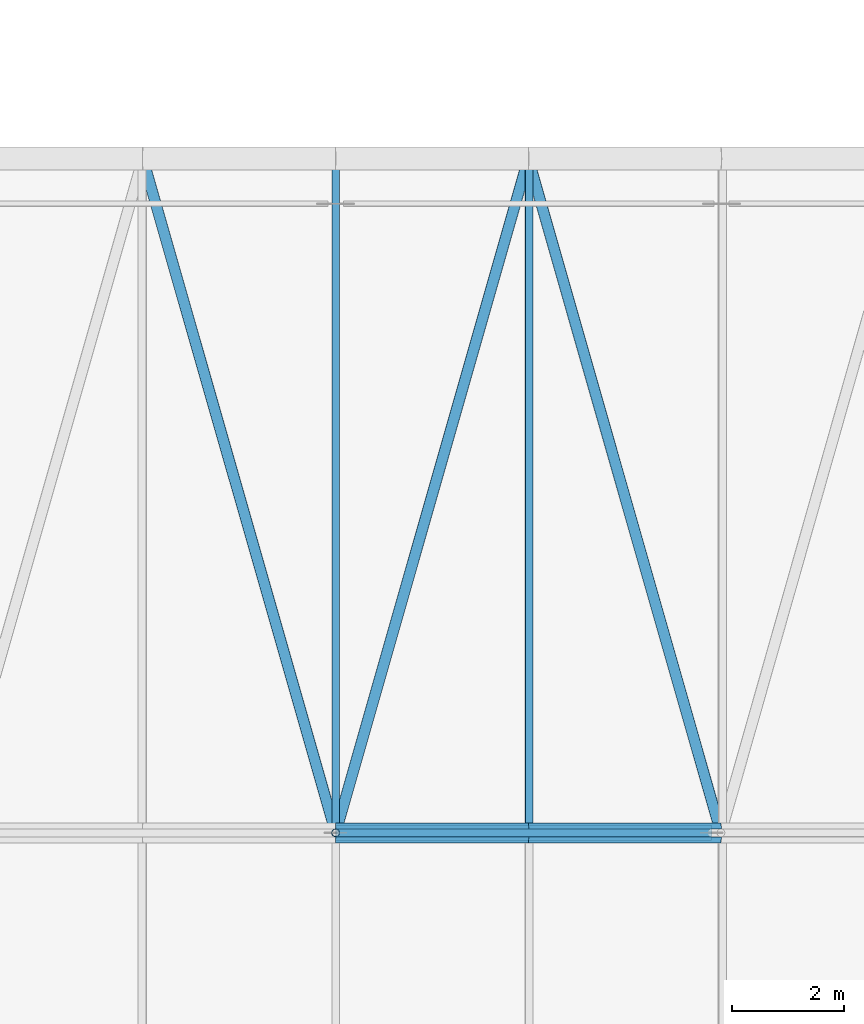
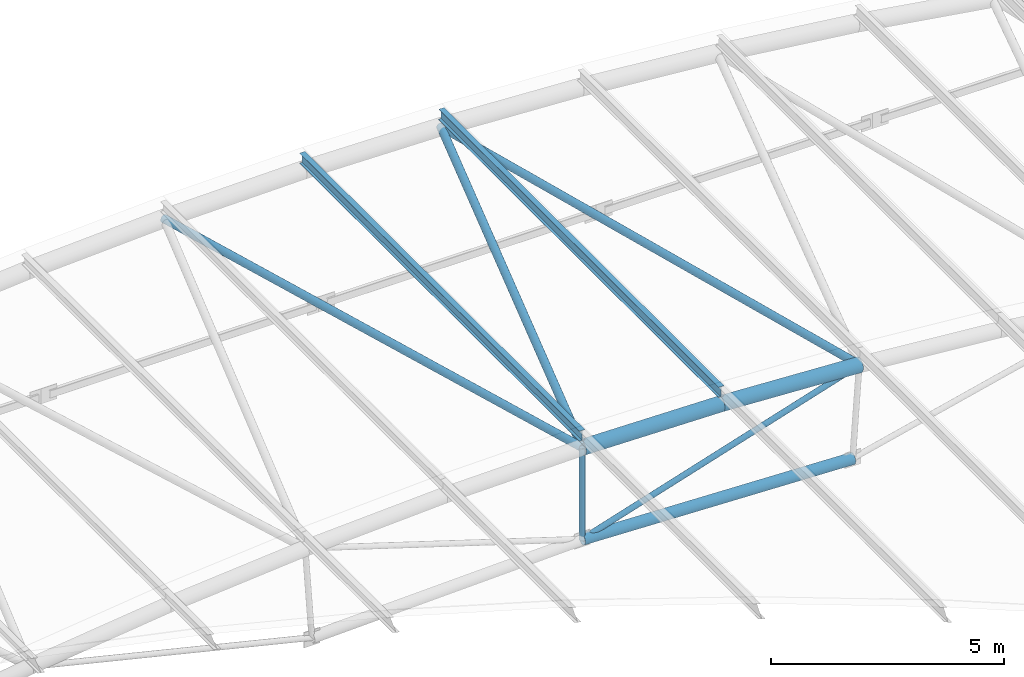
# One storey, part 40 of 91: 10 members.
"""IFC4 building model written with IfcOpenShell, lengths in metres."""

from ifc_helpers import new_model, si_unit, direction, frame, origin, origin_2d, place, context, subcontext, project, spatial, hollow_circle, i_section, extrude, material, material_profile, profile_set, type_object, element, save


model = new_model("IFC4")

# Units and contexts
model_context = context("Model", 3, precision=1e-05, world=origin(), true_north=direction((0.0, 1.0)))
body_context = subcontext(model_context, "Body", "Model", "MODEL_VIEW")
ifc_project = project(units=[si_unit("LENGTHUNIT", "METRE"), si_unit("AREAUNIT", "SQUARE_METRE"), si_unit("VOLUMEUNIT", "CUBIC_METRE"), si_unit("PLANEANGLEUNIT", "RADIAN"), si_unit("MASSUNIT", "GRAM", prefix="KILO")], contexts=[model_context])

# Site, building, storey
site_placement = place(None, origin())
site = spatial("IfcSite", under=ifc_project, at=site_placement, CompositionType="ELEMENT")
building_placement = place(site_placement, origin())
building = spatial("IfcBuilding", under=site, at=building_placement, Name="Ravi Spectrum Wholesale Market", CompositionType="ELEMENT")
storey_placement = place(building_placement, frame((0.0, 0.0, 16.199951171875)))
storey = spatial("IfcBuildingStorey", under=building, at=storey_placement, Name="ROOF PLANT LEVEL", CompositionType="ELEMENT", Elevation=16.199951171875)

# Members
ifc_material_1 = material(Name="Steel S355", Category="steel")
ifc_material_profile_1 = material_profile(ifc_material_1, hollow_circle(Radius=0.06982421875, WallThickness=0.0048828125, at=origin_2d()))
ifc_profile_set_1 = profile_set([ifc_material_profile_1], Name="Steel S355")
member_type_1 = type_object("IfcMemberType", Name="CHS 139.7x5 brace", PredefinedType="BRACE", material=ifc_profile_set_1)
member_1_placement = place(storey_placement, frame((76.857177734375, 186.0, 2.788818359375), z_axis=(-0.953666273238, 0.0, -0.300866480833), x_axis=(0.0, -1.0, 0.0)))
element("IfcMember", 1, at=member_1_placement, inside=storey, type_object=member_type_1, Name="H1-MB-L02-1124", PredefinedType="BRACE", context=body_context, shape_type="SweptSolid", body=[
    extrude(hollow_circle(Radius=0.06982421875, WallThickness=0.0048828125, at=origin_2d()), origin(), (0.0, 0.0, 1.0), 7.1904296875),
])
ifc_material_2 = material(Name="Steel S355", Category="steel")
ifc_material_profile_2 = material_profile(ifc_material_2, hollow_circle(Radius=0.06982421875, WallThickness=0.0048828125, at=origin_2d()))
ifc_profile_set_2 = profile_set([ifc_material_profile_2], Name="Steel S355")
member_type_2 = type_object("IfcMemberType", Name="CHS 139.7x5 post", PredefinedType="POST", material=ifc_profile_set_2)
member_2_placement = place(storey_placement, frame((70.0, 186.0, 3.025390625), z_axis=(0.0, 0.0, -1.0), x_axis=(1.0, 0.0, 0.0)))
element("IfcMember", 2, at=member_2_placement, inside=storey, type_object=member_type_2, Name="H1-MB-L02-1113", PredefinedType="POST", context=body_context, shape_type="SweptSolid", body=[
    extrude(hollow_circle(Radius=0.06982421875, WallThickness=0.0048828125, at=origin_2d()), origin(), (0.0, 0.0, 1.0), 2.39990234375),
])
ifc_material_3 = material(Name="Steel S355", Category="steel")
ifc_material_profile_3 = material_profile(ifc_material_3, hollow_circle(Radius=0.096923828125, WallThickness=0.00634765625, at=origin_2d()))
ifc_profile_set_3 = profile_set([ifc_material_profile_3], Name="Steel S355")
member_type_3 = type_object("IfcMemberType", Name="CHS 193.7x6.3 brace", PredefinedType="BRACE", material=ifc_profile_set_3)
for number, where, z_axis, x_axis, name in (
    (3, (66.5703125, 198.0, 2.94091796875), (0.274797508773, -0.961478299488, 0.006768218824), (0.961500322321, 0.274803803059, 0.0), "H1-MB-L02-1715"),
    (4, (70.0, 186.0, 3.025390625), (0.274797508773, 0.961478299488, -0.006768218824), (-0.961500322321, 0.274803803059, 0.0), "H1-MB-L02-1716"),
    (5, (73.4296875, 198.0, 2.94091796875), (0.274620635621, -0.961475424321, -0.012186669705), (0.961546828996, 0.274641030523, 0.0), "H1-MB-L02-1717"),
):
    element("IfcMember", number, at=place(storey_placement, frame(where, z_axis=z_axis, x_axis=x_axis)), inside=storey, type_object=member_type_3, Name=name, PredefinedType="BRACE", context=body_context, shape_type="SweptSolid", body=[
        extrude(hollow_circle(Radius=0.096923828125, WallThickness=0.00634765625, at=origin_2d()), origin(), (0.0, 0.0, 1.0), 12.480712890625),
    ])
ifc_material_4 = material(Name="Steel S355", Category="steel")
ifc_material_profile_4 = material_profile(ifc_material_4, hollow_circle(Radius=0.136474609375, WallThickness=0.010009765625, at=origin_2d()))
ifc_profile_set_4 = profile_set([ifc_material_profile_4], Name="Steel S355")
member_type_4 = type_object("IfcMemberType", Name="CHS 273x10 chord", PredefinedType="CHORD", material=ifc_profile_set_4)
member_3_placement = place(storey_placement, frame((70.0, 186.0, 0.62548828125), z_axis=(0.999404959621, 0.0, -0.034492414878), x_axis=(0.0, 1.0, 0.0)))
element("IfcMember", 6, at=member_3_placement, inside=storey, type_object=member_type_4, Name="H1-MB-L02-1102", PredefinedType="CHORD", context=body_context, shape_type="SweptSolid", body=[
    extrude(hollow_circle(Radius=0.136474609375, WallThickness=0.010009765625, at=origin_2d()), origin(), (0.0, 0.0, 1.0), 6.69580078125),
])
ifc_material_5 = material(Name="Steel S355", Category="steel")
ifc_material_profile_5 = material_profile(ifc_material_5, hollow_circle(Radius=0.177734375, WallThickness=0.012451171875, at=origin_2d()))
ifc_profile_set_5 = profile_set([ifc_material_profile_5], Name="Steel S355")
member_type_5 = type_object("IfcMemberType", Name="CHS 355.6x12.5 chord", PredefinedType="CHORD", material=ifc_profile_set_5)
for number, where, z_axis, x_axis, name in (
    (7, (70.0, 186.0, 3.025390625), (0.99985173868, 0.0, -0.017219194475), (0.0, 1.0, 0.0), "H1-MB-L02-1084"),
    (8, (73.4306640625, 186.0, 2.96630859375), (0.998661121681, 0.0, -0.051729721087), (0.0, 1.0, 0.0), "H1-MB-L02-1085"),
):
    element("IfcMember", number, at=place(storey_placement, frame(where, z_axis=z_axis, x_axis=x_axis)), inside=storey, type_object=member_type_5, Name=name, PredefinedType="CHORD", context=body_context, shape_type="SweptSolid", body=[
        extrude(hollow_circle(Radius=0.177734375, WallThickness=0.012451171875, at=origin_2d()), origin(), (0.0, 0.0, 1.0), 3.43115234375),
    ])
ifc_material_6 = material(Name="Steel S355", Category="steel")
ifc_material_profile_6 = material_profile(ifc_material_6, i_section(OverallWidth=0.135009765625, OverallDepth=0.27001953125, WebThickness=0.006591796875, FlangeThickness=0.01025390625, at=origin_2d()))
ifc_profile_set_6 = profile_set([ifc_material_profile_6], Name="Steel S355")
member_type_6 = type_object("IfcMemberType", Name="IPE 270 purlin", PredefinedType="PURLIN", material=ifc_profile_set_6)
for number, where, z_axis, x_axis, name in (
    (9, (70.0, 186.0, 3.338134765625), (0.0, 1.0, 0.0), (-1.0, 0.0, 0.0), "H1-MB-L02-1571"),
    (10, (73.44140625, 186.0, 3.27880859375), (0.0, 1.0, 0.0), (-0.999404978812, 0.0, 0.034491858836), "H1-MB-L02-1572"),
):
    element("IfcMember", number, at=place(storey_placement, frame(where, z_axis=z_axis, x_axis=x_axis)), inside=storey, type_object=member_type_6, Name=name, PredefinedType="PURLIN", context=body_context, shape_type="SweptSolid", body=[
        extrude(i_section(OverallWidth=0.135009765625, OverallDepth=0.27001953125, WebThickness=0.006591796875, FlangeThickness=0.01025390625, at=origin_2d()), origin(), (0.0, 0.0, 1.0), 12.0),
    ])

save(model, "model.ifc")
